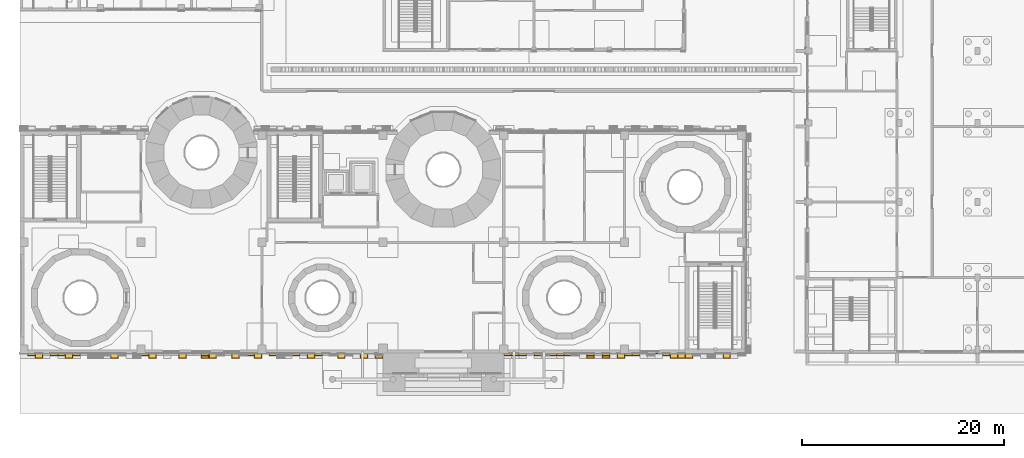
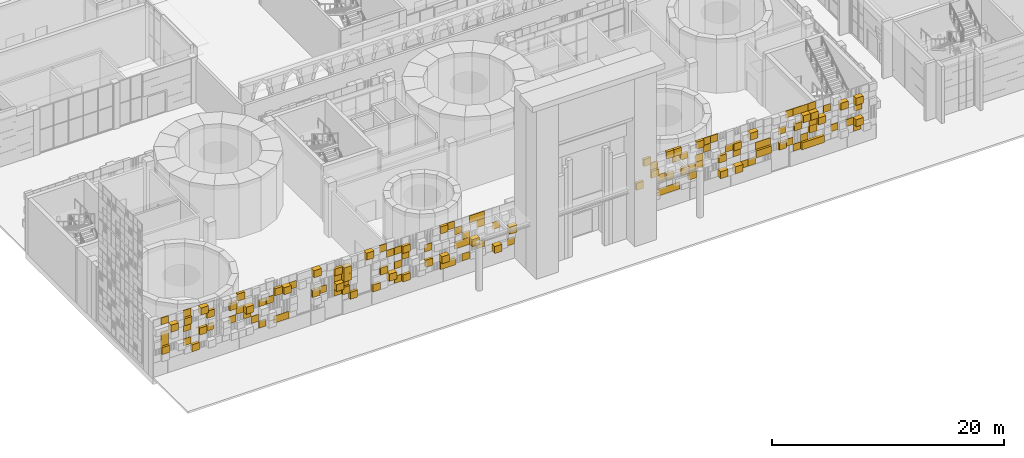
# One storey, part 79 of 125: 2 coverings.
"""IFC4 building model written with IfcOpenShell, lengths in metres."""

from ifc_helpers import new_model, si_unit, direction, frame, origin, origin_2d, place, context, subcontext, project, spatial, rectangle, extrude, material, layer, layer_set, type_object, element, save


model = new_model("IFC4")

# Units and contexts
model_context = context("Model", 3, precision=1e-05, world=origin(), true_north=direction((0.0, 1.0)))
body_context = subcontext(model_context, "Body", "Model", "MODEL_VIEW")
ifc_project = project(units=[si_unit("LENGTHUNIT", "METRE"), si_unit("AREAUNIT", "SQUARE_METRE"), si_unit("VOLUMEUNIT", "CUBIC_METRE"), si_unit("PLANEANGLEUNIT", "RADIAN"), si_unit("MASSUNIT", "GRAM", prefix="KILO")], contexts=[model_context])

# Site, building, storey
site_placement = place(None, origin())
site = spatial("IfcSite", under=ifc_project, at=site_placement, CompositionType="ELEMENT")
building_placement = place(site_placement, origin())
building = spatial("IfcBuilding", under=site, at=building_placement, Name="Sun Court Science Centre", CompositionType="ELEMENT")
storey_placement = place(building_placement, origin())
storey = spatial("IfcBuildingStorey", under=building, at=storey_placement, Name="L00", CompositionType="ELEMENT", Elevation=0.0)

# Coverings
ifc_material_1 = material(Name="Terracotta shade 3", Category="masonry")
ifc_layer_1 = layer(ifc_material_1, 0.06005859375)
ifc_layer_set_1 = layer_set([ifc_layer_1], Name="Terracotta shade 3")
covering_type_1 = type_object("IfcCoveringType", Name="Terracotta pixel panel shade 3", PredefinedType="CLADDING", material=ifc_layer_set_1)
covering_1_placement = place(storey_placement, origin())
element("IfcCovering", 1, at=covering_1_placement, inside=storey, type_object=covering_type_1, Name="Terracotta pixel cladding shade 3 south face L00", PredefinedType="CLADDING", context=body_context, shape_type="SweptSolid", body=[
    extrude(rectangle(XDim=0.739990234375, YDim=0.260009765625, at=origin_2d()), frame((66.375, 5.8701171875, 1.5048828125), z_axis=(0.0, 0.0, 1.0), x_axis=(-1.0, 0.0, 0.0)), (0.0, 0.0, 1.0), 0.739990234375),
    extrude(rectangle(XDim=0.739990234375, YDim=0.260009765625, at=origin_2d()), frame((65.625, 5.8701171875, 1.5048828125), z_axis=(0.0, 0.0, 1.0), x_axis=(-1.0, 0.0, 0.0)), (0.0, 0.0, 1.0), 0.739990234375),
    extrude(rectangle(XDim=0.739990234375, YDim=0.260009765625, at=origin_2d()), frame((64.875, 5.8701171875, 1.5048828125), z_axis=(0.0, 0.0, 1.0), x_axis=(-1.0, 0.0, 0.0)), (0.0, 0.0, 1.0), 0.739990234375),
    extrude(rectangle(XDim=0.739990234375, YDim=0.06005859375, at=origin_2d()), frame((64.125, 5.969970703125, 1.5048828125), z_axis=(0.0, 0.0, 1.0), x_axis=(-1.0, 0.0, 0.0)), (0.0, 0.0, 1.0), 0.739990234375),
    extrude(rectangle(XDim=0.739990234375, YDim=0.06005859375, at=origin_2d()), frame((59.625, 5.969970703125, 1.5048828125), z_axis=(0.0, 0.0, 1.0), x_axis=(-1.0, 0.0, 0.0)), (0.0, 0.0, 1.0), 0.739990234375),
    extrude(rectangle(XDim=0.739990234375, YDim=0.510009765625, at=origin_2d()), frame((58.125, 5.7451171875, 1.5048828125), z_axis=(0.0, 0.0, 1.0), x_axis=(-1.0, 0.0, 0.0)), (0.0, 0.0, 1.0), 0.739990234375),
    extrude(rectangle(XDim=0.739990234375, YDim=0.06005859375, at=origin_2d()), frame((52.125, 5.969970703125, 1.5048828125), z_axis=(0.0, 0.0, 1.0), x_axis=(-1.0, 0.0, 0.0)), (0.0, 0.0, 1.0), 0.739990234375),
    extrude(rectangle(XDim=0.739990234375, YDim=0.06005859375, at=origin_2d()), frame((51.375, 5.969970703125, 1.5048828125), z_axis=(0.0, 0.0, 1.0), x_axis=(-1.0, 0.0, 0.0)), (0.0, 0.0, 1.0), 0.739990234375),
    extrude(rectangle(XDim=0.739990234375, YDim=0.06005859375, at=origin_2d()), frame((50.625, 5.969970703125, 1.5048828125), z_axis=(0.0, 0.0, 1.0), x_axis=(-1.0, 0.0, 0.0)), (0.0, 0.0, 1.0), 0.739990234375),
    extrude(rectangle(XDim=0.739990234375, YDim=0.06005859375, at=origin_2d()), frame((31.125, 5.969970703125, 1.5048828125), z_axis=(0.0, 0.0, 1.0), x_axis=(-1.0, 0.0, 0.0)), (0.0, 0.0, 1.0), 0.739990234375),
    extrude(rectangle(XDim=0.739990234375, YDim=0.260009765625, at=origin_2d()), frame((29.625, 5.8701171875, 1.5048828125), z_axis=(0.0, 0.0, 1.0), x_axis=(-1.0, 0.0, 0.0)), (0.0, 0.0, 1.0), 0.739990234375),
    extrude(rectangle(XDim=0.739990234375, YDim=0.260009765625, at=origin_2d()), frame((28.875, 5.8701171875, 1.5048828125), z_axis=(0.0, 0.0, 1.0), x_axis=(-1.0, 0.0, 0.0)), (0.0, 0.0, 1.0), 0.739990234375),
    extrude(rectangle(XDim=0.739990234375, YDim=0.260009765625, at=origin_2d()), frame((25.125, 5.8701171875, 1.5048828125), z_axis=(0.0, 0.0, 1.0), x_axis=(-1.0, 0.0, 0.0)), (0.0, 0.0, 1.0), 0.739990234375),
    extrude(rectangle(XDim=0.739990234375, YDim=0.06005859375, at=origin_2d()), frame((24.375, 5.969970703125, 1.5048828125), z_axis=(0.0, 0.0, 1.0), x_axis=(-1.0, 0.0, 0.0)), (0.0, 0.0, 1.0), 0.739990234375),
    extrude(rectangle(XDim=0.739990234375, YDim=0.06005859375, at=origin_2d()), frame((10.875, 5.969970703125, 1.5048828125), z_axis=(0.0, 0.0, 1.0), x_axis=(-1.0, 0.0, 0.0)), (0.0, 0.0, 1.0), 0.739990234375),
    extrude(rectangle(XDim=0.739990234375, YDim=0.510009765625, at=origin_2d()), frame((70.125, 5.7451171875, 2.2548828125), z_axis=(0.0, 0.0, 1.0), x_axis=(-1.0, 0.0, 0.0)), (0.0, 0.0, 1.0), 0.739990234375),
    extrude(rectangle(XDim=0.739990234375, YDim=0.06005859375, at=origin_2d()), frame((69.375, 5.969970703125, 2.2548828125), z_axis=(0.0, 0.0, 1.0), x_axis=(-1.0, 0.0, 0.0)), (0.0, 0.0, 1.0), 0.739990234375),
    extrude(rectangle(XDim=0.739990234375, YDim=0.06005859375, at=origin_2d()), frame((67.875, 5.969970703125, 2.2548828125), z_axis=(0.0, 0.0, 1.0), x_axis=(-1.0, 0.0, 0.0)), (0.0, 0.0, 1.0), 0.739990234375),
    extrude(rectangle(XDim=0.739990234375, YDim=0.260009765625, at=origin_2d()), frame((61.125, 5.8701171875, 2.2548828125), z_axis=(0.0, 0.0, 1.0), x_axis=(-1.0, 0.0, 0.0)), (0.0, 0.0, 1.0), 0.739990234375),
    extrude(rectangle(XDim=0.739990234375, YDim=0.260009765625, at=origin_2d()), frame((60.375, 5.8701171875, 2.2548828125), z_axis=(0.0, 0.0, 1.0), x_axis=(-1.0, 0.0, 0.0)), (0.0, 0.0, 1.0), 0.739990234375),
    extrude(rectangle(XDim=0.739990234375, YDim=0.260009765625, at=origin_2d()), frame((27.375, 5.8701171875, 2.2548828125), z_axis=(0.0, 0.0, 1.0), x_axis=(-1.0, 0.0, 0.0)), (0.0, 0.0, 1.0), 0.739990234375),
    extrude(rectangle(XDim=0.739990234375, YDim=0.260009765625, at=origin_2d()), frame((19.125, 5.8701171875, 2.2548828125), z_axis=(0.0, 0.0, 1.0), x_axis=(-1.0, 0.0, 0.0)), (0.0, 0.0, 1.0), 0.739990234375),
    extrude(rectangle(XDim=0.739990234375, YDim=0.06005859375, at=origin_2d()), frame((18.375, 5.969970703125, 2.2548828125), z_axis=(0.0, 0.0, 1.0), x_axis=(-1.0, 0.0, 0.0)), (0.0, 0.0, 1.0), 0.739990234375),
    extrude(rectangle(XDim=0.739990234375, YDim=0.06005859375, at=origin_2d()), frame((10.125, 5.969970703125, 2.2548828125), z_axis=(0.0, 0.0, 1.0), x_axis=(-1.0, 0.0, 0.0)), (0.0, 0.0, 1.0), 0.739990234375),
    extrude(rectangle(XDim=0.739990234375, YDim=0.260009765625, at=origin_2d()), frame((65.625, 5.8701171875, 3.0048828125), z_axis=(0.0, 0.0, 1.0), x_axis=(-1.0, 0.0, 0.0)), (0.0, 0.0, 1.0), 0.739990234375),
    extrude(rectangle(XDim=0.739990234375, YDim=0.06005859375, at=origin_2d()), frame((61.125, 5.969970703125, 3.0048828125), z_axis=(0.0, 0.0, 1.0), x_axis=(-1.0, 0.0, 0.0)), (0.0, 0.0, 1.0), 0.739990234375),
    extrude(rectangle(XDim=0.739990234375, YDim=0.06005859375, at=origin_2d()), frame((60.375, 5.969970703125, 3.0048828125), z_axis=(0.0, 0.0, 1.0), x_axis=(-1.0, 0.0, 0.0)), (0.0, 0.0, 1.0), 0.739990234375),
    extrude(rectangle(XDim=0.739990234375, YDim=0.06005859375, at=origin_2d()), frame((53.625, 5.969970703125, 3.0048828125), z_axis=(0.0, 0.0, 1.0), x_axis=(-1.0, 0.0, 0.0)), (0.0, 0.0, 1.0), 0.739990234375),
    extrude(rectangle(XDim=0.739990234375, YDim=0.260009765625, at=origin_2d()), frame((52.875, 5.8701171875, 3.0048828125), z_axis=(0.0, 0.0, 1.0), x_axis=(-1.0, 0.0, 0.0)), (0.0, 0.0, 1.0), 0.739990234375),
    extrude(rectangle(XDim=0.739990234375, YDim=0.260009765625, at=origin_2d()), frame((51.375, 5.8701171875, 3.0048828125), z_axis=(0.0, 0.0, 1.0), x_axis=(-1.0, 0.0, 0.0)), (0.0, 0.0, 1.0), 0.739990234375),
    extrude(rectangle(XDim=0.739990234375, YDim=0.260009765625, at=origin_2d()), frame((48.375, 5.8701171875, 3.0048828125), z_axis=(0.0, 0.0, 1.0), x_axis=(-1.0, 0.0, 0.0)), (0.0, 0.0, 1.0), 0.739990234375),
    extrude(rectangle(XDim=0.739990234375, YDim=0.510009765625, at=origin_2d()), frame((35.625, 5.7451171875, 3.0048828125), z_axis=(0.0, 0.0, 1.0), x_axis=(-1.0, 0.0, 0.0)), (0.0, 0.0, 1.0), 0.739990234375),
    extrude(rectangle(XDim=0.739990234375, YDim=0.260009765625, at=origin_2d()), frame((22.875, 5.8701171875, 3.0048828125), z_axis=(0.0, 0.0, 1.0), x_axis=(-1.0, 0.0, 0.0)), (0.0, 0.0, 1.0), 0.739990234375),
    extrude(rectangle(XDim=0.739990234375, YDim=0.510009765625, at=origin_2d()), frame((18.375, 5.7451171875, 3.0048828125), z_axis=(0.0, 0.0, 1.0), x_axis=(-1.0, 0.0, 0.0)), (0.0, 0.0, 1.0), 0.739990234375),
    extrude(rectangle(XDim=0.739990234375, YDim=0.06005859375, at=origin_2d()), frame((16.875, 5.969970703125, 3.0048828125), z_axis=(0.0, 0.0, 1.0), x_axis=(-1.0, 0.0, 0.0)), (0.0, 0.0, 1.0), 0.739990234375),
    extrude(rectangle(XDim=0.739990234375, YDim=0.06005859375, at=origin_2d()), frame((9.375, 5.969970703125, 3.0048828125), z_axis=(0.0, 0.0, 1.0), x_axis=(-1.0, 0.0, 0.0)), (0.0, 0.0, 1.0), 0.739990234375),
    extrude(rectangle(XDim=0.739990234375, YDim=0.260009765625, at=origin_2d()), frame((4.875, 5.8701171875, 3.0048828125), z_axis=(0.0, 0.0, 1.0), x_axis=(-1.0, 0.0, 0.0)), (0.0, 0.0, 1.0), 0.739990234375),
    extrude(rectangle(XDim=0.739990234375, YDim=0.06005859375, at=origin_2d()), frame((1.125, 5.969970703125, 3.0048828125), z_axis=(0.0, 0.0, 1.0), x_axis=(-1.0, 0.0, 0.0)), (0.0, 0.0, 1.0), 0.739990234375),
    extrude(rectangle(XDim=0.739990234375, YDim=0.260009765625, at=origin_2d()), frame((70.125, 5.8701171875, 3.7548828125), z_axis=(0.0, 0.0, 1.0), x_axis=(-1.0, 0.0, 0.0)), (0.0, 0.0, 1.0), 0.739990234375),
    extrude(rectangle(XDim=0.739990234375, YDim=0.510009765625, at=origin_2d()), frame((66.375, 5.7451171875, 3.7548828125), z_axis=(0.0, 0.0, 1.0), x_axis=(-1.0, 0.0, 0.0)), (0.0, 0.0, 1.0), 0.739990234375),
    extrude(rectangle(XDim=0.739990234375, YDim=0.260009765625, at=origin_2d()), frame((65.625, 5.8701171875, 3.7548828125), z_axis=(0.0, 0.0, 1.0), x_axis=(-1.0, 0.0, 0.0)), (0.0, 0.0, 1.0), 0.739990234375),
    extrude(rectangle(XDim=0.739990234375, YDim=0.06005859375, at=origin_2d()), frame((62.625, 5.969970703125, 3.7548828125), z_axis=(0.0, 0.0, 1.0), x_axis=(-1.0, 0.0, 0.0)), (0.0, 0.0, 1.0), 0.739990234375),
    extrude(rectangle(XDim=0.739990234375, YDim=0.260009765625, at=origin_2d()), frame((58.125, 5.8701171875, 3.7548828125), z_axis=(0.0, 0.0, 1.0), x_axis=(-1.0, 0.0, 0.0)), (0.0, 0.0, 1.0), 0.739990234375),
    extrude(rectangle(XDim=0.739990234375, YDim=0.06005859375, at=origin_2d()), frame((54.375, 5.969970703125, 3.7548828125), z_axis=(0.0, 0.0, 1.0), x_axis=(-1.0, 0.0, 0.0)), (0.0, 0.0, 1.0), 0.739990234375),
    extrude(rectangle(XDim=0.739990234375, YDim=0.06005859375, at=origin_2d()), frame((34.125, 5.969970703125, 3.7548828125), z_axis=(0.0, 0.0, 1.0), x_axis=(-1.0, 0.0, 0.0)), (0.0, 0.0, 1.0), 0.739990234375),
    extrude(rectangle(XDim=0.739990234375, YDim=0.06005859375, at=origin_2d()), frame((27.375, 5.969970703125, 3.7548828125), z_axis=(0.0, 0.0, 1.0), x_axis=(-1.0, 0.0, 0.0)), (0.0, 0.0, 1.0), 0.739990234375),
    extrude(rectangle(XDim=0.739990234375, YDim=0.06005859375, at=origin_2d()), frame((25.125, 5.969970703125, 3.7548828125), z_axis=(0.0, 0.0, 1.0), x_axis=(-1.0, 0.0, 0.0)), (0.0, 0.0, 1.0), 0.739990234375),
    extrude(rectangle(XDim=0.739990234375, YDim=0.510009765625, at=origin_2d()), frame((19.125, 5.7451171875, 3.7548828125), z_axis=(0.0, 0.0, 1.0), x_axis=(-1.0, 0.0, 0.0)), (0.0, 0.0, 1.0), 0.739990234375),
    extrude(rectangle(XDim=0.739990234375, YDim=0.06005859375, at=origin_2d()), frame((11.625, 5.969970703125, 3.7548828125), z_axis=(0.0, 0.0, 1.0), x_axis=(-1.0, 0.0, 0.0)), (0.0, 0.0, 1.0), 0.739990234375),
    extrude(rectangle(XDim=0.739990234375, YDim=0.06005859375, at=origin_2d()), frame((10.875, 5.969970703125, 3.7548828125), z_axis=(0.0, 0.0, 1.0), x_axis=(-1.0, 0.0, 0.0)), (0.0, 0.0, 1.0), 0.739990234375),
    extrude(rectangle(XDim=0.739990234375, YDim=0.510009765625, at=origin_2d()), frame((9.375, 5.7451171875, 3.7548828125), z_axis=(0.0, 0.0, 1.0), x_axis=(-1.0, 0.0, 0.0)), (0.0, 0.0, 1.0), 0.739990234375),
    extrude(rectangle(XDim=0.739990234375, YDim=0.06005859375, at=origin_2d()), frame((8.625, 5.969970703125, 3.7548828125), z_axis=(0.0, 0.0, 1.0), x_axis=(-1.0, 0.0, 0.0)), (0.0, 0.0, 1.0), 0.739990234375),
    extrude(rectangle(XDim=0.739990234375, YDim=0.510009765625, at=origin_2d()), frame((70.125, 5.7451171875, 4.5048828125), z_axis=(0.0, 0.0, 1.0), x_axis=(-1.0, 0.0, 0.0)), (0.0, 0.0, 1.0), 0.739990234375),
    extrude(rectangle(XDim=0.739990234375, YDim=0.510009765625, at=origin_2d()), frame((68.625, 5.7451171875, 4.5048828125), z_axis=(0.0, 0.0, 1.0), x_axis=(-1.0, 0.0, 0.0)), (0.0, 0.0, 1.0), 0.739990234375),
    extrude(rectangle(XDim=0.739990234375, YDim=0.510009765625, at=origin_2d()), frame((64.875, 5.7451171875, 4.5048828125), z_axis=(0.0, 0.0, 1.0), x_axis=(-1.0, 0.0, 0.0)), (0.0, 0.0, 1.0), 0.739990234375),
    extrude(rectangle(XDim=0.739990234375, YDim=0.510009765625, at=origin_2d()), frame((59.625, 5.7451171875, 4.5048828125), z_axis=(0.0, 0.0, 1.0), x_axis=(-1.0, 0.0, 0.0)), (0.0, 0.0, 1.0), 0.739990234375),
    extrude(rectangle(XDim=0.739990234375, YDim=0.06005859375, at=origin_2d()), frame((55.125, 5.969970703125, 4.5048828125), z_axis=(0.0, 0.0, 1.0), x_axis=(-1.0, 0.0, 0.0)), (0.0, 0.0, 1.0), 0.739990234375),
    extrude(rectangle(XDim=0.739990234375, YDim=0.06005859375, at=origin_2d()), frame((52.125, 5.969970703125, 4.5048828125), z_axis=(0.0, 0.0, 1.0), x_axis=(-1.0, 0.0, 0.0)), (0.0, 0.0, 1.0), 0.739990234375),
    extrude(rectangle(XDim=0.739990234375, YDim=0.06005859375, at=origin_2d()), frame((49.875, 5.969970703125, 4.5048828125), z_axis=(0.0, 0.0, 1.0), x_axis=(-1.0, 0.0, 0.0)), (0.0, 0.0, 1.0), 0.739990234375),
    extrude(rectangle(XDim=0.739990234375, YDim=0.06005859375, at=origin_2d()), frame((30.375, 5.969970703125, 4.5048828125), z_axis=(0.0, 0.0, 1.0), x_axis=(-1.0, 0.0, 0.0)), (0.0, 0.0, 1.0), 0.739990234375),
    extrude(rectangle(XDim=0.739990234375, YDim=0.260009765625, at=origin_2d()), frame((25.125, 5.8701171875, 4.5048828125), z_axis=(0.0, 0.0, 1.0), x_axis=(-1.0, 0.0, 0.0)), (0.0, 0.0, 1.0), 0.739990234375),
    extrude(rectangle(XDim=0.739990234375, YDim=0.06005859375, at=origin_2d()), frame((24.375, 5.969970703125, 4.5048828125), z_axis=(0.0, 0.0, 1.0), x_axis=(-1.0, 0.0, 0.0)), (0.0, 0.0, 1.0), 0.739990234375),
    extrude(rectangle(XDim=0.739990234375, YDim=0.510009765625, at=origin_2d()), frame((19.125, 5.7451171875, 4.5048828125), z_axis=(0.0, 0.0, 1.0), x_axis=(-1.0, 0.0, 0.0)), (0.0, 0.0, 1.0), 0.739990234375),
    extrude(rectangle(XDim=0.739990234375, YDim=0.06005859375, at=origin_2d()), frame((13.875, 5.969970703125, 4.5048828125), z_axis=(0.0, 0.0, 1.0), x_axis=(-1.0, 0.0, 0.0)), (0.0, 0.0, 1.0), 0.739990234375),
    extrude(rectangle(XDim=0.739990234375, YDim=0.510009765625, at=origin_2d()), frame((13.125, 5.7451171875, 4.5048828125), z_axis=(0.0, 0.0, 1.0), x_axis=(-1.0, 0.0, 0.0)), (0.0, 0.0, 1.0), 0.739990234375),
    extrude(rectangle(XDim=0.739990234375, YDim=0.260009765625, at=origin_2d()), frame((5.625, 5.8701171875, 4.5048828125), z_axis=(0.0, 0.0, 1.0), x_axis=(-1.0, 0.0, 0.0)), (0.0, 0.0, 1.0), 0.739990234375),
    extrude(rectangle(XDim=0.739990234375, YDim=0.260009765625, at=origin_2d()), frame((3.375, 5.8701171875, 4.5048828125), z_axis=(0.0, 0.0, 1.0), x_axis=(-1.0, 0.0, 0.0)), (0.0, 0.0, 1.0), 0.739990234375),
    extrude(rectangle(XDim=0.739990234375, YDim=0.510009765625, at=origin_2d()), frame((1.875, 5.7451171875, 4.5048828125), z_axis=(0.0, 0.0, 1.0), x_axis=(-1.0, 0.0, 0.0)), (0.0, 0.0, 1.0), 0.739990234375),
    extrude(rectangle(XDim=0.739990234375, YDim=0.06005859375, at=origin_2d()), frame((65.625, 5.969970703125, 5.2548828125), z_axis=(0.0, 0.0, 1.0), x_axis=(-1.0, 0.0, 0.0)), (0.0, 0.0, 1.0), 0.739990234375),
    extrude(rectangle(XDim=0.739990234375, YDim=0.06005859375, at=origin_2d()), frame((63.375, 5.969970703125, 5.2548828125), z_axis=(0.0, 0.0, 1.0), x_axis=(-1.0, 0.0, 0.0)), (0.0, 0.0, 1.0), 0.739990234375),
    extrude(rectangle(XDim=0.739990234375, YDim=0.06005859375, at=origin_2d()), frame((55.875, 5.969970703125, 5.2548828125), z_axis=(0.0, 0.0, 1.0), x_axis=(-1.0, 0.0, 0.0)), (0.0, 0.0, 1.0), 0.739990234375),
    extrude(rectangle(XDim=0.739990234375, YDim=0.260009765625, at=origin_2d()), frame((51.375, 5.8701171875, 5.2548828125), z_axis=(0.0, 0.0, 1.0), x_axis=(-1.0, 0.0, 0.0)), (0.0, 0.0, 1.0), 0.739990234375),
    extrude(rectangle(XDim=0.739990234375, YDim=0.260009765625, at=origin_2d()), frame((49.125, 5.8701171875, 5.2548828125), z_axis=(0.0, 0.0, 1.0), x_axis=(-1.0, 0.0, 0.0)), (0.0, 0.0, 1.0), 0.739990234375),
    extrude(rectangle(XDim=0.739990234375, YDim=0.06005859375, at=origin_2d()), frame((29.625, 5.969970703125, 5.2548828125), z_axis=(0.0, 0.0, 1.0), x_axis=(-1.0, 0.0, 0.0)), (0.0, 0.0, 1.0), 0.739990234375),
    extrude(rectangle(XDim=0.739990234375, YDim=0.260009765625, at=origin_2d()), frame((28.875, 5.8701171875, 5.2548828125), z_axis=(0.0, 0.0, 1.0), x_axis=(-1.0, 0.0, 0.0)), (0.0, 0.0, 1.0), 0.739990234375),
    extrude(rectangle(XDim=0.739990234375, YDim=0.06005859375, at=origin_2d()), frame((22.875, 5.969970703125, 5.2548828125), z_axis=(0.0, 0.0, 1.0), x_axis=(-1.0, 0.0, 0.0)), (0.0, 0.0, 1.0), 0.739990234375),
    extrude(rectangle(XDim=0.739990234375, YDim=0.06005859375, at=origin_2d()), frame((3.375, 5.969970703125, 5.2548828125), z_axis=(0.0, 0.0, 1.0), x_axis=(-1.0, 0.0, 0.0)), (0.0, 0.0, 1.0), 0.739990234375),
    extrude(rectangle(XDim=0.739990234375, YDim=0.06005859375, at=origin_2d()), frame((1.125, 5.969970703125, 5.2548828125), z_axis=(0.0, 0.0, 1.0), x_axis=(-1.0, 0.0, 0.0)), (0.0, 0.0, 1.0), 0.739990234375),
    extrude(rectangle(XDim=0.739990234375, YDim=0.06005859375, at=origin_2d()), frame((70.125, 5.969970703125, 1.5048828125), z_axis=(0.0, 0.0, 1.0), x_axis=(-1.0, 0.0, 0.0)), (0.0, 0.0, 1.0), 0.739990234375),
    extrude(rectangle(XDim=0.739990234375, YDim=0.260009765625, at=origin_2d()), frame((1.125, 5.8701171875, 2.2548828125), z_axis=(0.0, 0.0, 1.0), x_axis=(-1.0, 0.0, 0.0)), (0.0, 0.0, 1.0), 0.739990234375),
    extrude(rectangle(XDim=0.739990234375, YDim=0.06005859375, at=origin_2d()), frame((1.125, 5.969970703125, 3.7548828125), z_axis=(0.0, 0.0, 1.0), x_axis=(-1.0, 0.0, 0.0)), (0.0, 0.0, 1.0), 0.739990234375),
])
ifc_material_2 = material(Name="Terracotta shade 4", Category="masonry")
ifc_layer_2 = layer(ifc_material_2, 0.06005859375)
ifc_layer_set_2 = layer_set([ifc_layer_2], Name="Terracotta shade 4")
covering_type_2 = type_object("IfcCoveringType", Name="Terracotta pixel panel shade 4", PredefinedType="CLADDING", material=ifc_layer_set_2)
covering_2_placement = place(storey_placement, origin())
element("IfcCovering", 2, at=covering_2_placement, inside=storey, type_object=covering_type_2, Name="Terracotta pixel cladding shade 4 south face L00", PredefinedType="CLADDING", context=body_context, shape_type="SweptSolid", body=[
    extrude(rectangle(XDim=0.739990234375, YDim=0.06005859375, at=origin_2d()), frame((58.875, 5.969970703125, 1.5048828125), z_axis=(0.0, 0.0, 1.0), x_axis=(-1.0, 0.0, 0.0)), (0.0, 0.0, 1.0), 0.739990234375),
    extrude(rectangle(XDim=0.739990234375, YDim=0.510009765625, at=origin_2d()), frame((56.625, 5.7451171875, 1.5048828125), z_axis=(0.0, 0.0, 1.0), x_axis=(-1.0, 0.0, 0.0)), (0.0, 0.0, 1.0), 0.739990234375),
    extrude(rectangle(XDim=0.739990234375, YDim=0.06005859375, at=origin_2d()), frame((35.625, 5.969970703125, 1.5048828125), z_axis=(0.0, 0.0, 1.0), x_axis=(-1.0, 0.0, 0.0)), (0.0, 0.0, 1.0), 0.739990234375),
    extrude(rectangle(XDim=0.739990234375, YDim=0.510009765625, at=origin_2d()), frame((34.125, 5.7451171875, 1.5048828125), z_axis=(0.0, 0.0, 1.0), x_axis=(-1.0, 0.0, 0.0)), (0.0, 0.0, 1.0), 0.739990234375),
    extrude(rectangle(XDim=0.739990234375, YDim=0.260009765625, at=origin_2d()), frame((22.125, 5.8701171875, 1.5048828125), z_axis=(0.0, 0.0, 1.0), x_axis=(-1.0, 0.0, 0.0)), (0.0, 0.0, 1.0), 0.739990234375),
    extrude(rectangle(XDim=0.739990234375, YDim=0.260009765625, at=origin_2d()), frame((19.875, 5.8701171875, 1.5048828125), z_axis=(0.0, 0.0, 1.0), x_axis=(-1.0, 0.0, 0.0)), (0.0, 0.0, 1.0), 0.739990234375),
    extrude(rectangle(XDim=0.739990234375, YDim=0.06005859375, at=origin_2d()), frame((13.125, 5.969970703125, 1.5048828125), z_axis=(0.0, 0.0, 1.0), x_axis=(-1.0, 0.0, 0.0)), (0.0, 0.0, 1.0), 0.739990234375),
    extrude(rectangle(XDim=0.739990234375, YDim=0.06005859375, at=origin_2d()), frame((12.375, 5.969970703125, 1.5048828125), z_axis=(0.0, 0.0, 1.0), x_axis=(-1.0, 0.0, 0.0)), (0.0, 0.0, 1.0), 0.739990234375),
    extrude(rectangle(XDim=0.739990234375, YDim=0.260009765625, at=origin_2d()), frame((4.125, 5.8701171875, 1.5048828125), z_axis=(0.0, 0.0, 1.0), x_axis=(-1.0, 0.0, 0.0)), (0.0, 0.0, 1.0), 0.739990234375),
    extrude(rectangle(XDim=0.739990234375, YDim=0.06005859375, at=origin_2d()), frame((64.875, 5.969970703125, 2.2548828125), z_axis=(0.0, 0.0, 1.0), x_axis=(-1.0, 0.0, 0.0)), (0.0, 0.0, 1.0), 0.739990234375),
    extrude(rectangle(XDim=0.739990234375, YDim=0.06005859375, at=origin_2d()), frame((63.375, 5.969970703125, 2.2548828125), z_axis=(0.0, 0.0, 1.0), x_axis=(-1.0, 0.0, 0.0)), (0.0, 0.0, 1.0), 0.739990234375),
    extrude(rectangle(XDim=0.739990234375, YDim=0.260009765625, at=origin_2d()), frame((62.625, 5.8701171875, 2.2548828125), z_axis=(0.0, 0.0, 1.0), x_axis=(-1.0, 0.0, 0.0)), (0.0, 0.0, 1.0), 0.739990234375),
    extrude(rectangle(XDim=0.739990234375, YDim=0.260009765625, at=origin_2d()), frame((53.625, 5.8701171875, 2.2548828125), z_axis=(0.0, 0.0, 1.0), x_axis=(-1.0, 0.0, 0.0)), (0.0, 0.0, 1.0), 0.739990234375),
    extrude(rectangle(XDim=0.739990234375, YDim=0.06005859375, at=origin_2d()), frame((32.625, 5.969970703125, 2.2548828125), z_axis=(0.0, 0.0, 1.0), x_axis=(-1.0, 0.0, 0.0)), (0.0, 0.0, 1.0), 0.739990234375),
    extrude(rectangle(XDim=0.739990234375, YDim=0.510009765625, at=origin_2d()), frame((28.875, 5.7451171875, 2.2548828125), z_axis=(0.0, 0.0, 1.0), x_axis=(-1.0, 0.0, 0.0)), (0.0, 0.0, 1.0), 0.739990234375),
    extrude(rectangle(XDim=0.739990234375, YDim=0.510009765625, at=origin_2d()), frame((23.625, 5.7451171875, 2.2548828125), z_axis=(0.0, 0.0, 1.0), x_axis=(-1.0, 0.0, 0.0)), (0.0, 0.0, 1.0), 0.739990234375),
    extrude(rectangle(XDim=0.739990234375, YDim=0.06005859375, at=origin_2d()), frame((3.375, 5.969970703125, 2.2548828125), z_axis=(0.0, 0.0, 1.0), x_axis=(-1.0, 0.0, 0.0)), (0.0, 0.0, 1.0), 0.739990234375),
    extrude(rectangle(XDim=0.739990234375, YDim=0.06005859375, at=origin_2d()), frame((58.125, 5.969970703125, 3.0048828125), z_axis=(0.0, 0.0, 1.0), x_axis=(-1.0, 0.0, 0.0)), (0.0, 0.0, 1.0), 0.739990234375),
    extrude(rectangle(XDim=0.739990234375, YDim=0.260009765625, at=origin_2d()), frame((56.625, 5.8701171875, 3.0048828125), z_axis=(0.0, 0.0, 1.0), x_axis=(-1.0, 0.0, 0.0)), (0.0, 0.0, 1.0), 0.739990234375),
    extrude(rectangle(XDim=0.739990234375, YDim=0.06005859375, at=origin_2d()), frame((54.375, 5.969970703125, 3.0048828125), z_axis=(0.0, 0.0, 1.0), x_axis=(-1.0, 0.0, 0.0)), (0.0, 0.0, 1.0), 0.739990234375),
    extrude(rectangle(XDim=0.739990234375, YDim=0.06005859375, at=origin_2d()), frame((50.625, 5.969970703125, 3.0048828125), z_axis=(0.0, 0.0, 1.0), x_axis=(-1.0, 0.0, 0.0)), (0.0, 0.0, 1.0), 0.739990234375),
    extrude(rectangle(XDim=0.739990234375, YDim=0.510009765625, at=origin_2d()), frame((31.875, 5.7451171875, 3.0048828125), z_axis=(0.0, 0.0, 1.0), x_axis=(-1.0, 0.0, 0.0)), (0.0, 0.0, 1.0), 0.739990234375),
    extrude(rectangle(XDim=0.739990234375, YDim=0.06005859375, at=origin_2d()), frame((31.125, 5.969970703125, 3.0048828125), z_axis=(0.0, 0.0, 1.0), x_axis=(-1.0, 0.0, 0.0)), (0.0, 0.0, 1.0), 0.739990234375),
    extrude(rectangle(XDim=0.739990234375, YDim=0.06005859375, at=origin_2d()), frame((30.375, 5.969970703125, 3.0048828125), z_axis=(0.0, 0.0, 1.0), x_axis=(-1.0, 0.0, 0.0)), (0.0, 0.0, 1.0), 0.739990234375),
    extrude(rectangle(XDim=0.739990234375, YDim=0.06005859375, at=origin_2d()), frame((24.375, 5.969970703125, 3.0048828125), z_axis=(0.0, 0.0, 1.0), x_axis=(-1.0, 0.0, 0.0)), (0.0, 0.0, 1.0), 0.739990234375),
    extrude(rectangle(XDim=0.739990234375, YDim=0.06005859375, at=origin_2d()), frame((19.125, 5.969970703125, 3.0048828125), z_axis=(0.0, 0.0, 1.0), x_axis=(-1.0, 0.0, 0.0)), (0.0, 0.0, 1.0), 0.739990234375),
    extrude(rectangle(XDim=0.739990234375, YDim=0.260009765625, at=origin_2d()), frame((16.125, 5.8701171875, 3.0048828125), z_axis=(0.0, 0.0, 1.0), x_axis=(-1.0, 0.0, 0.0)), (0.0, 0.0, 1.0), 0.739990234375),
    extrude(rectangle(XDim=0.739990234375, YDim=0.06005859375, at=origin_2d()), frame((7.875, 5.969970703125, 3.0048828125), z_axis=(0.0, 0.0, 1.0), x_axis=(-1.0, 0.0, 0.0)), (0.0, 0.0, 1.0), 0.739990234375),
    extrude(rectangle(XDim=0.739990234375, YDim=0.06005859375, at=origin_2d()), frame((5.625, 5.969970703125, 3.0048828125), z_axis=(0.0, 0.0, 1.0), x_axis=(-1.0, 0.0, 0.0)), (0.0, 0.0, 1.0), 0.739990234375),
    extrude(rectangle(XDim=0.739990234375, YDim=0.260009765625, at=origin_2d()), frame((64.125, 5.8701171875, 3.7548828125), z_axis=(0.0, 0.0, 1.0), x_axis=(-1.0, 0.0, 0.0)), (0.0, 0.0, 1.0), 0.739990234375),
    extrude(rectangle(XDim=0.739990234375, YDim=0.06005859375, at=origin_2d()), frame((57.375, 5.969970703125, 3.7548828125), z_axis=(0.0, 0.0, 1.0), x_axis=(-1.0, 0.0, 0.0)), (0.0, 0.0, 1.0), 0.739990234375),
    extrude(rectangle(XDim=0.739990234375, YDim=0.260009765625, at=origin_2d()), frame((49.875, 5.8701171875, 3.7548828125), z_axis=(0.0, 0.0, 1.0), x_axis=(-1.0, 0.0, 0.0)), (0.0, 0.0, 1.0), 0.739990234375),
    extrude(rectangle(XDim=0.739990234375, YDim=0.06005859375, at=origin_2d()), frame((31.125, 5.969970703125, 3.7548828125), z_axis=(0.0, 0.0, 1.0), x_axis=(-1.0, 0.0, 0.0)), (0.0, 0.0, 1.0), 0.739990234375),
    extrude(rectangle(XDim=0.739990234375, YDim=0.06005859375, at=origin_2d()), frame((18.375, 5.969970703125, 3.7548828125), z_axis=(0.0, 0.0, 1.0), x_axis=(-1.0, 0.0, 0.0)), (0.0, 0.0, 1.0), 0.739990234375),
    extrude(rectangle(XDim=0.739990234375, YDim=0.06005859375, at=origin_2d()), frame((3.375, 5.969970703125, 3.7548828125), z_axis=(0.0, 0.0, 1.0), x_axis=(-1.0, 0.0, 0.0)), (0.0, 0.0, 1.0), 0.739990234375),
    extrude(rectangle(XDim=0.739990234375, YDim=0.06005859375, at=origin_2d()), frame((67.125, 5.969970703125, 4.5048828125), z_axis=(0.0, 0.0, 1.0), x_axis=(-1.0, 0.0, 0.0)), (0.0, 0.0, 1.0), 0.739990234375),
    extrude(rectangle(XDim=0.739990234375, YDim=0.510009765625, at=origin_2d()), frame((65.625, 5.7451171875, 4.5048828125), z_axis=(0.0, 0.0, 1.0), x_axis=(-1.0, 0.0, 0.0)), (0.0, 0.0, 1.0), 0.739990234375),
    extrude(rectangle(XDim=0.739990234375, YDim=0.06005859375, at=origin_2d()), frame((52.875, 5.969970703125, 4.5048828125), z_axis=(0.0, 0.0, 1.0), x_axis=(-1.0, 0.0, 0.0)), (0.0, 0.0, 1.0), 0.739990234375),
    extrude(rectangle(XDim=0.739990234375, YDim=0.06005859375, at=origin_2d()), frame((32.625, 5.969970703125, 4.5048828125), z_axis=(0.0, 0.0, 1.0), x_axis=(-1.0, 0.0, 0.0)), (0.0, 0.0, 1.0), 0.739990234375),
    extrude(rectangle(XDim=0.739990234375, YDim=0.06005859375, at=origin_2d()), frame((23.625, 5.969970703125, 4.5048828125), z_axis=(0.0, 0.0, 1.0), x_axis=(-1.0, 0.0, 0.0)), (0.0, 0.0, 1.0), 0.739990234375),
    extrude(rectangle(XDim=0.739990234375, YDim=0.260009765625, at=origin_2d()), frame((18.375, 5.8701171875, 4.5048828125), z_axis=(0.0, 0.0, 1.0), x_axis=(-1.0, 0.0, 0.0)), (0.0, 0.0, 1.0), 0.739990234375),
    extrude(rectangle(XDim=0.739990234375, YDim=0.260009765625, at=origin_2d()), frame((12.375, 5.8701171875, 4.5048828125), z_axis=(0.0, 0.0, 1.0), x_axis=(-1.0, 0.0, 0.0)), (0.0, 0.0, 1.0), 0.739990234375),
    extrude(rectangle(XDim=0.739990234375, YDim=0.260009765625, at=origin_2d()), frame((7.875, 5.8701171875, 4.5048828125), z_axis=(0.0, 0.0, 1.0), x_axis=(-1.0, 0.0, 0.0)), (0.0, 0.0, 1.0), 0.739990234375),
    extrude(rectangle(XDim=0.739990234375, YDim=0.06005859375, at=origin_2d()), frame((64.875, 5.969970703125, 5.2548828125), z_axis=(0.0, 0.0, 1.0), x_axis=(-1.0, 0.0, 0.0)), (0.0, 0.0, 1.0), 0.739990234375),
    extrude(rectangle(XDim=0.739990234375, YDim=0.06005859375, at=origin_2d()), frame((64.125, 5.969970703125, 5.2548828125), z_axis=(0.0, 0.0, 1.0), x_axis=(-1.0, 0.0, 0.0)), (0.0, 0.0, 1.0), 0.739990234375),
    extrude(rectangle(XDim=0.739990234375, YDim=0.06005859375, at=origin_2d()), frame((55.125, 5.969970703125, 5.2548828125), z_axis=(0.0, 0.0, 1.0), x_axis=(-1.0, 0.0, 0.0)), (0.0, 0.0, 1.0), 0.739990234375),
    extrude(rectangle(XDim=0.739990234375, YDim=0.260009765625, at=origin_2d()), frame((54.375, 5.8701171875, 5.2548828125), z_axis=(0.0, 0.0, 1.0), x_axis=(-1.0, 0.0, 0.0)), (0.0, 0.0, 1.0), 0.739990234375),
    extrude(rectangle(XDim=0.739990234375, YDim=0.260009765625, at=origin_2d()), frame((52.125, 5.8701171875, 5.2548828125), z_axis=(0.0, 0.0, 1.0), x_axis=(-1.0, 0.0, 0.0)), (0.0, 0.0, 1.0), 0.739990234375),
    extrude(rectangle(XDim=0.739990234375, YDim=0.06005859375, at=origin_2d()), frame((32.625, 5.969970703125, 5.2548828125), z_axis=(0.0, 0.0, 1.0), x_axis=(-1.0, 0.0, 0.0)), (0.0, 0.0, 1.0), 0.739990234375),
    extrude(rectangle(XDim=0.739990234375, YDim=0.06005859375, at=origin_2d()), frame((31.875, 5.969970703125, 5.2548828125), z_axis=(0.0, 0.0, 1.0), x_axis=(-1.0, 0.0, 0.0)), (0.0, 0.0, 1.0), 0.739990234375),
    extrude(rectangle(XDim=0.739990234375, YDim=0.510009765625, at=origin_2d()), frame((21.375, 5.7451171875, 5.2548828125), z_axis=(0.0, 0.0, 1.0), x_axis=(-1.0, 0.0, 0.0)), (0.0, 0.0, 1.0), 0.739990234375),
    extrude(rectangle(XDim=0.739990234375, YDim=0.510009765625, at=origin_2d()), frame((16.125, 5.7451171875, 5.2548828125), z_axis=(0.0, 0.0, 1.0), x_axis=(-1.0, 0.0, 0.0)), (0.0, 0.0, 1.0), 0.739990234375),
    extrude(rectangle(XDim=0.739990234375, YDim=0.260009765625, at=origin_2d()), frame((8.625, 5.8701171875, 5.2548828125), z_axis=(0.0, 0.0, 1.0), x_axis=(-1.0, 0.0, 0.0)), (0.0, 0.0, 1.0), 0.739990234375),
    extrude(rectangle(XDim=0.739990234375, YDim=0.510009765625, at=origin_2d()), frame((4.875, 5.7451171875, 5.2548828125), z_axis=(0.0, 0.0, 1.0), x_axis=(-1.0, 0.0, 0.0)), (0.0, 0.0, 1.0), 0.739990234375),
])

save(model, "model.ifc")
